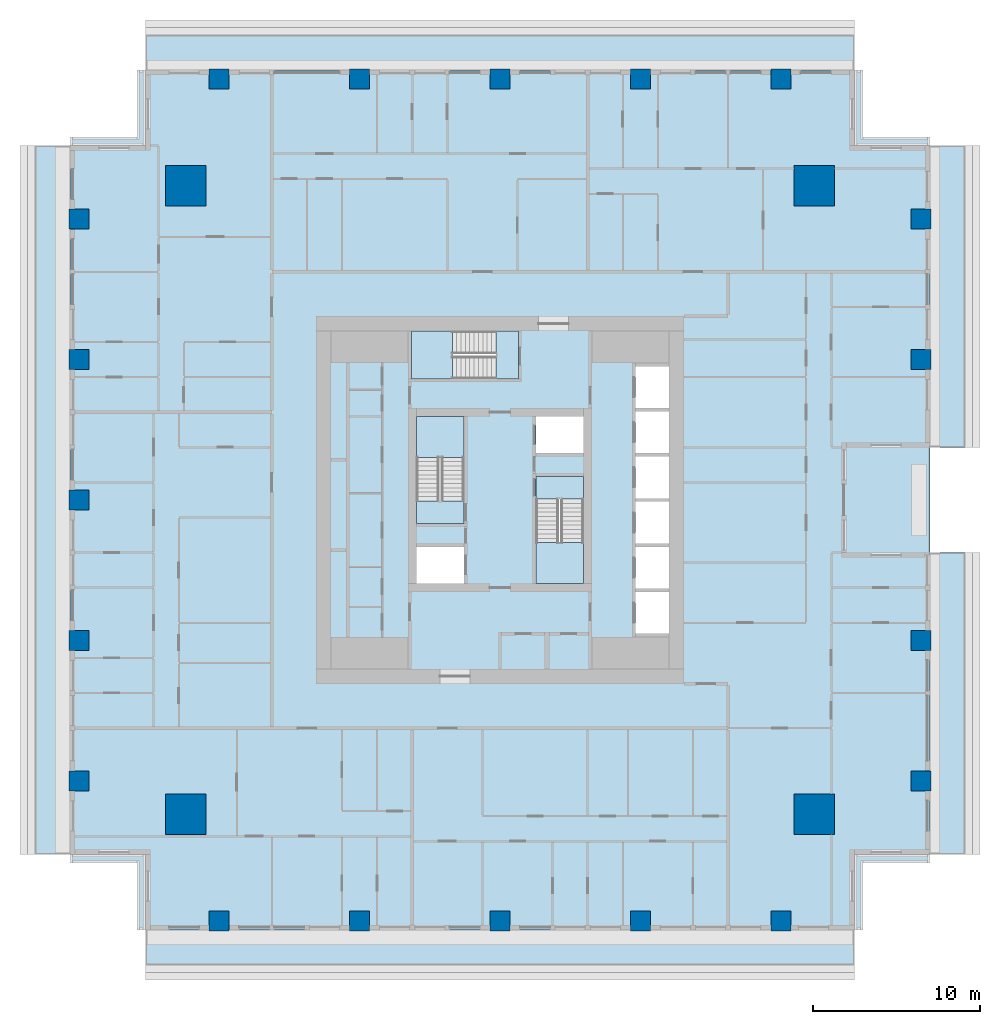
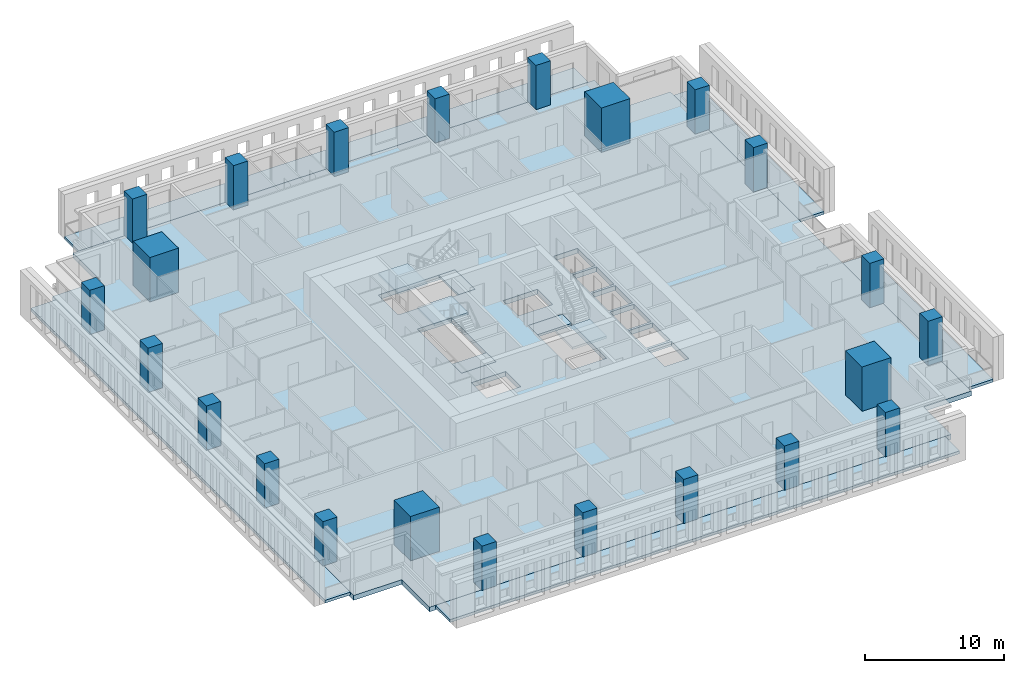
# One storey, part 1 of 17: 23 columns, 12 slabs, 3 elements without a shape of their own.
"""IFC4 building model written with IfcOpenShell, lengths in metres."""

from ifc_helpers import new_model, si_unit, direction, frame, origin, origin_2d, place, context, subcontext, project, spatial, polyline, rectangle, outline, extrude, material, layer, layer_set, material_profile, profile_set, type_object, element, aggregate, save


model = new_model("IFC4")

# Units and contexts
model_context = context("Model", 3, precision=1e-05, world=origin(), true_north=direction((0.0, 1.0)))
body_context = subcontext(model_context, "Body", "Model", "MODEL_VIEW")
ifc_project = project(units=[si_unit("LENGTHUNIT", "METRE"), si_unit("AREAUNIT", "SQUARE_METRE"), si_unit("VOLUMEUNIT", "CUBIC_METRE"), si_unit("PLANEANGLEUNIT", "RADIAN"), si_unit("MASSUNIT", "GRAM", prefix="KILO")], contexts=[model_context])

# Site, building, storey
site_placement = place(None, origin())
site = spatial("IfcSite", under=ifc_project, at=site_placement, CompositionType="ELEMENT")
building_placement = place(site_placement, origin())
building = spatial("IfcBuilding", under=site, at=building_placement, Name="Khepri Terraces", CompositionType="ELEMENT")
storey_placement = place(building_placement, frame((0.0, 0.0, 188.39990234375)))
storey = spatial("IfcBuildingStorey", under=building, at=storey_placement, Name="L44", CompositionType="ELEMENT", Elevation=188.39990234375)

# Columns
ifc_material_1 = material(Name="Concrete C50/60", Category="concrete")
ifc_material_profile_1 = material_profile(ifc_material_1, rectangle(XDim=2.39990234375, YDim=2.39990234375, at=origin_2d()), Name="Concrete C50/60", Category="concrete")
ifc_profile_set_1 = profile_set([ifc_material_profile_1], Name="Concrete C50/60")
column_type_1 = type_object("IfcColumnType", Name="Mega column RC 2400x2400 C50/60", PredefinedType="COLUMN", material=ifc_profile_set_1)
for number, where, z_axis, x_axis, name in (
    (1, (18.800048828125, 18.800048828125, 0.0), (0.0, 0.0, 1.0), (1.0, 0.0, 0.0), "Mega column MEN L44"),
    (2, (18.800048828125, -18.800048828125, 0.0), (0.0, 0.0, 1.0), (1.0, 0.0, 0.0), "Mega column MES L44"),
    (3, (-18.800048828125, 18.800048828125, 0.0), (0.0, 0.0, 1.0), (1.0, 0.0, 0.0), "Mega column MWN L44"),
    (4, (-18.800048828125, -18.800048828125, 0.0), (0.0, 0.0, 1.0), (1.0, 0.0, 0.0), "Mega column MWS L44"),
):
    element("IfcColumn", number, at=place(storey_placement, frame(where, z_axis=z_axis, x_axis=x_axis)), inside=storey, type_object=column_type_1, Name=name, PredefinedType="COLUMN", context=body_context, shape_type="SweptSolid", body=[
        extrude(rectangle(XDim=2.39990234375, YDim=2.39990234375, at=origin_2d()), origin(), (0.0, 0.0, 1.0), 3.900146484375),
    ])
ifc_material_profile_2 = material_profile(ifc_material_1, rectangle(XDim=1.199951171875, YDim=1.199951171875, at=origin_2d()), Name="Concrete C50/60", Category="concrete")
ifc_profile_set_2 = profile_set([ifc_material_profile_2], Name="Concrete C50/60")
column_type_2 = type_object("IfcColumnType", Name="Tower column RC 1200x1200 C50/60", PredefinedType="COLUMN", material=ifc_profile_set_2)
for number, where, z_axis, x_axis, name in (
    (5, (25.199951171875, 8.39990234375, 0.0), (0.0, 0.0, 1.0), (1.0, 0.0, 0.0), "Perimeter column PE+084a L44"),
    (6, (25.199951171875, 16.800048828125, 0.0), (0.0, 0.0, 1.0), (1.0, 0.0, 0.0), "Perimeter column PE+168a L44"),
    (7, (25.199951171875, -8.39990234375, 0.0), (0.0, 0.0, 1.0), (1.0, 0.0, 0.0), "Perimeter column PE-084a L44"),
    (8, (25.199951171875, -16.800048828125, 0.0), (0.0, 0.0, 1.0), (1.0, 0.0, 0.0), "Perimeter column PE-168a L44"),
):
    element("IfcColumn", number, at=place(storey_placement, frame(where, z_axis=z_axis, x_axis=x_axis)), inside=storey, type_object=column_type_2, Name=name, PredefinedType="COLUMN", context=body_context, shape_type="SweptSolid", body=[
        extrude(rectangle(XDim=1.199951171875, YDim=1.199951171875, at=origin_2d()), origin(), (0.0, 0.0, 1.0), 3.900146484375),
    ])
for number, where, z_axis, x_axis, name in (
    (9, (0.0, 25.199951171875, -0.419921875), (0.0, 0.0, 1.0), (1.0, 0.0, 0.0), "Perimeter column PN+000b L44"),
    (10, (-8.39990234375, 25.199951171875, -0.419921875), (0.0, 0.0, 1.0), (1.0, 0.0, 0.0), "Perimeter column PN+084b L44"),
):
    element("IfcColumn", number, at=place(storey_placement, frame(where, z_axis=z_axis, x_axis=x_axis)), inside=storey, type_object=column_type_2, Name=name, PredefinedType="COLUMN", context=body_context, shape_type="SweptSolid", body=[
        extrude(rectangle(XDim=1.199951171875, YDim=1.199951171875, at=origin_2d()), origin(), (0.0, 0.0, 1.0), 4.320068359375),
    ])
column_1_placement = place(storey_placement, frame((-16.800048828125, 25.199951171875, 0.0), z_axis=(0.0, 0.0, 1.0), x_axis=(1.0, 0.0, 0.0)))
element("IfcColumn", 11, at=column_1_placement, inside=storey, type_object=column_type_2, Name="Perimeter column PN+168a L44", PredefinedType="COLUMN", context=body_context, shape_type="SweptSolid", body=[
    extrude(rectangle(XDim=1.199951171875, YDim=1.199951171875, at=origin_2d()), origin(), (0.0, 0.0, 1.0), 3.900146484375),
])
column_2_placement = place(storey_placement, frame((8.39990234375, 25.199951171875, -0.419921875), z_axis=(0.0, 0.0, 1.0), x_axis=(1.0, 0.0, 0.0)))
element("IfcColumn", 12, at=column_2_placement, inside=storey, type_object=column_type_2, Name="Perimeter column PN-084b L44", PredefinedType="COLUMN", context=body_context, shape_type="SweptSolid", body=[
    extrude(rectangle(XDim=1.199951171875, YDim=1.199951171875, at=origin_2d()), origin(), (0.0, 0.0, 1.0), 4.320068359375),
])
for number, where, z_axis, x_axis, name in (
    (13, (16.800048828125, 25.199951171875, 0.0), (0.0, 0.0, 1.0), (1.0, 0.0, 0.0), "Perimeter column PN-168a L44"),
    (14, (0.0, -25.199951171875, 0.0), (0.0, 0.0, 1.0), (1.0, 0.0, 0.0), "Perimeter column PS+000b L44"),
    (15, (8.39990234375, -25.199951171875, 0.0), (0.0, 0.0, 1.0), (1.0, 0.0, 0.0), "Perimeter column PS+084b L44"),
    (16, (16.800048828125, -25.199951171875, 0.0), (0.0, 0.0, 1.0), (1.0, 0.0, 0.0), "Perimeter column PS+168a L44"),
    (17, (-8.39990234375, -25.199951171875, 0.0), (0.0, 0.0, 1.0), (1.0, 0.0, 0.0), "Perimeter column PS-084b L44"),
    (18, (-16.800048828125, -25.199951171875, 0.0), (0.0, 0.0, 1.0), (1.0, 0.0, 0.0), "Perimeter column PS-168a L44"),
    (19, (-25.199951171875, 0.0, 0.0), (0.0, 0.0, 1.0), (1.0, 0.0, 0.0), "Perimeter column PW+000b L44"),
    (20, (-25.199951171875, -8.39990234375, 0.0), (0.0, 0.0, 1.0), (1.0, 0.0, 0.0), "Perimeter column PW+084b L44"),
    (21, (-25.199951171875, -16.800048828125, 0.0), (0.0, 0.0, 1.0), (1.0, 0.0, 0.0), "Perimeter column PW+168a L44"),
    (22, (-25.199951171875, 8.39990234375, 0.0), (0.0, 0.0, 1.0), (1.0, 0.0, 0.0), "Perimeter column PW-084b L44"),
    (23, (-25.199951171875, 16.800048828125, 0.0), (0.0, 0.0, 1.0), (1.0, 0.0, 0.0), "Perimeter column PW-168a L44"),
):
    element("IfcColumn", number, at=place(storey_placement, frame(where, z_axis=z_axis, x_axis=x_axis)), inside=storey, type_object=column_type_2, Name=name, PredefinedType="COLUMN", context=body_context, shape_type="SweptSolid", body=[
        extrude(rectangle(XDim=1.199951171875, YDim=1.199951171875, at=origin_2d()), origin(), (0.0, 0.0, 1.0), 3.900146484375),
    ])

# Slabs
ifc_material_2 = material(Name="Concrete C40/50", Category="concrete")
ifc_layer_1 = layer(ifc_material_2, 0.419921875, Name="Concrete C40/50", Category="concrete")
ifc_layer_set_1 = layer_set([ifc_layer_1], Name="Concrete C40/50")
slab_type_1 = type_object("IfcSlabType", Name="Flat plate 420", PredefinedType="FLOOR", material=ifc_layer_set_1)
slab_1_placement = place(storey_placement, frame((0.0, 0.0, -0.419921875)))
element("IfcSlab", 24, at=slab_1_placement, inside=storey, type_object=slab_type_1, Name="Floor slab F01 L44", PredefinedType="FLOOR", context=body_context, shape_type="SweptSolid", body=[
    extrude(outline(polyline([(25.719970703125, 3.14990234375), (25.719970703125, -3.14990234375), (25.719970703125, -21.219970703125), (25.719970703125, -21.719970703125), (21.719970703125, -21.719970703125), (21.719970703125, -25.719970703125), (21.219970703125, -25.719970703125), (-21.219970703125, -25.719970703125), (-21.719970703125, -25.719970703125), (-21.719970703125, -21.719970703125), (-25.719970703125, -21.719970703125), (-25.719970703125, -21.219970703125), (-25.719970703125, 21.219970703125), (-25.719970703125, 21.719970703125), (-21.719970703125, 21.719970703125), (-21.719970703125, 25.719970703125), (-21.219970703125, 25.719970703125), (21.219970703125, 25.719970703125), (21.719970703125, 25.719970703125), (21.719970703125, 21.719970703125), (25.719970703125, 21.719970703125), (25.719970703125, 21.219970703125), (25.719970703125, 3.14990234375)]), holes=[polyline([(2.14990234375, 2.800048828125), (5.0, 2.800048828125), (5.0, 5.0), (2.14990234375, 5.0), (2.14990234375, 2.800048828125)]), polyline([(-5.0, -2.800048828125), (-5.0, -5.0), (-2.14990234375, -5.0), (-2.14990234375, -2.800048828125), (-5.0, -2.800048828125)]), polyline([(10.10009765625, -5.5), (8.10009765625, -5.5), (8.10009765625, -8.0), (10.10009765625, -8.0), (10.10009765625, -5.5)]), polyline([(10.10009765625, -5.300048828125), (10.10009765625, -2.800048828125), (8.10009765625, -2.800048828125), (8.10009765625, -5.300048828125), (10.10009765625, -5.300048828125)]), polyline([(8.10009765625, -2.60009765625), (10.10009765625, -2.60009765625), (10.10009765625, -0.10009765625), (8.10009765625, -0.10009765625), (8.10009765625, -2.60009765625)]), polyline([(8.10009765625, 2.60009765625), (8.10009765625, 0.10009765625), (10.10009765625, 0.10009765625), (10.10009765625, 2.60009765625), (8.10009765625, 2.60009765625)]), polyline([(10.10009765625, 5.300048828125), (8.10009765625, 5.300048828125), (8.10009765625, 2.800048828125), (10.10009765625, 2.800048828125), (10.10009765625, 5.300048828125)]), polyline([(10.10009765625, 5.5), (10.10009765625, 8.0), (8.10009765625, 8.0), (8.10009765625, 5.5), (10.10009765625, 5.5)]), polyline([(-5.0, -1.39990234375), (-2.14990234375, -1.39990234375), (-2.14990234375, 5.0), (-5.0, 5.0), (-5.0, -1.39990234375)]), polyline([(5.0, -5.0), (5.0, 1.39990234375), (2.14990234375, 1.39990234375), (2.14990234375, -5.0), (5.0, -5.0)]), polyline([(-5.300048828125, 10.10009765625), (-5.300048828125, 7.25), (1.10009765625, 7.25), (1.10009765625, 10.10009765625), (-5.300048828125, 10.10009765625)])]), origin(), (0.0, 0.0, 1.0), 0.419921875),
])
ifc_material_3 = material(Name="Precast concrete C50/60 warm stone", Category="masonry")
ifc_layer_2 = layer(ifc_material_3, 0.25, Name="Precast concrete C50/60 warm stone", Category="masonry")
ifc_layer_set_2 = layer_set([ifc_layer_2], Name="Precast concrete C50/60 warm stone")
slab_type_2 = type_object("IfcSlabType", Name="SLB-BALCONY-250", PredefinedType="FLOOR", material=ifc_layer_set_2)
slab_2_placement = place(storey_placement, frame((0.0, 0.0, -0.25)))
element("IfcSlab", 25, at=slab_2_placement, inside=storey, type_object=slab_type_2, Name="Balcony slab L44 S", PredefinedType="FLOOR", context=body_context, shape_type="SweptSolid", body=[
    extrude(outline(polyline([(-17.39990234375, -25.719970703125), (-21.219970703125, -25.719970703125), (-21.219970703125, -27.820068359375), (21.219970703125, -27.820068359375), (21.219970703125, -25.719970703125), (17.39990234375, -25.719970703125), (17.39990234375, -25.800048828125), (16.199951171875, -25.800048828125), (16.199951171875, -25.719970703125), (9.0, -25.719970703125), (9.0, -25.800048828125), (7.800048828125, -25.800048828125), (7.800048828125, -25.719970703125), (0.60009765625, -25.719970703125), (0.60009765625, -25.800048828125), (-0.60009765625, -25.800048828125), (-0.60009765625, -25.719970703125), (-7.800048828125, -25.719970703125), (-7.800048828125, -25.800048828125), (-9.0, -25.800048828125), (-9.0, -25.719970703125), (-16.199951171875, -25.719970703125), (-16.199951171875, -25.800048828125), (-17.39990234375, -25.800048828125), (-17.39990234375, -25.719970703125)])), origin(), (0.0, 0.0, 1.0), 0.25),
])
slab_3_placement = place(storey_placement, frame((0.0, 0.0, -0.25)))
element("IfcSlab", 26, at=slab_3_placement, inside=storey, type_object=slab_type_2, Name="Balcony slab L44 E", PredefinedType="FLOOR", context=body_context, shape_type="SweptSolid", body=[
    extrude(outline(polyline([(25.719970703125, -17.39990234375), (25.719970703125, -21.219970703125), (27.820068359375, -21.219970703125), (27.820068359375, -3.14990234375), (25.719970703125, -3.14990234375), (25.719970703125, -7.800048828125), (25.800048828125, -7.800048828125), (25.800048828125, -9.0), (25.719970703125, -9.0), (25.719970703125, -16.199951171875), (25.800048828125, -16.199951171875), (25.800048828125, -17.39990234375), (25.719970703125, -17.39990234375)])), origin(), (0.0, 0.0, 1.0), 0.25),
])
slab_4_placement = place(storey_placement, frame((0.0, 0.0, -0.25)))
element("IfcSlab", 27, at=slab_4_placement, inside=storey, type_object=slab_type_2, Name="Balcony slab L44 E", PredefinedType="FLOOR", context=body_context, shape_type="SweptSolid", body=[
    extrude(outline(polyline([(25.719970703125, 7.800048828125), (25.719970703125, 3.14990234375), (27.820068359375, 3.14990234375), (27.820068359375, 21.219970703125), (25.719970703125, 21.219970703125), (25.719970703125, 17.39990234375), (25.800048828125, 17.39990234375), (25.800048828125, 16.199951171875), (25.719970703125, 16.199951171875), (25.719970703125, 9.0), (25.800048828125, 9.0), (25.800048828125, 7.800048828125), (25.719970703125, 7.800048828125)])), origin(), (0.0, 0.0, 1.0), 0.25),
])
slab_5_placement = place(storey_placement, frame((0.0, 0.0, -0.25)))
element("IfcSlab", 28, at=slab_5_placement, inside=storey, type_object=slab_type_2, Name="Balcony slab L44 N", PredefinedType="FLOOR", context=body_context, shape_type="SweptSolid", body=[
    extrude(outline(polyline([(17.39990234375, 25.719970703125), (21.219970703125, 25.719970703125), (21.219970703125, 27.820068359375), (-21.219970703125, 27.820068359375), (-21.219970703125, 25.719970703125), (-17.39990234375, 25.719970703125), (-17.39990234375, 25.800048828125), (-16.199951171875, 25.800048828125), (-16.199951171875, 25.719970703125), (-9.0, 25.719970703125), (-9.0, 25.800048828125), (-7.800048828125, 25.800048828125), (-7.800048828125, 25.719970703125), (-0.60009765625, 25.719970703125), (-0.60009765625, 25.800048828125), (0.60009765625, 25.800048828125), (0.60009765625, 25.719970703125), (7.800048828125, 25.719970703125), (7.800048828125, 25.800048828125), (9.0, 25.800048828125), (9.0, 25.719970703125), (16.199951171875, 25.719970703125), (16.199951171875, 25.800048828125), (17.39990234375, 25.800048828125), (17.39990234375, 25.719970703125)])), origin(), (0.0, 0.0, 1.0), 0.25),
])
slab_6_placement = place(storey_placement, frame((0.0, 0.0, -0.25)))
element("IfcSlab", 29, at=slab_6_placement, inside=storey, type_object=slab_type_2, Name="Balcony slab L44 W", PredefinedType="FLOOR", context=body_context, shape_type="SweptSolid", body=[
    extrude(outline(polyline([(-25.719970703125, 17.39990234375), (-25.719970703125, 21.219970703125), (-27.820068359375, 21.219970703125), (-27.820068359375, -21.219970703125), (-25.719970703125, -21.219970703125), (-25.719970703125, -17.39990234375), (-25.800048828125, -17.39990234375), (-25.800048828125, -16.199951171875), (-25.719970703125, -16.199951171875), (-25.719970703125, -9.0), (-25.800048828125, -9.0), (-25.800048828125, -7.800048828125), (-25.719970703125, -7.800048828125), (-25.719970703125, -0.60009765625), (-25.800048828125, -0.60009765625), (-25.800048828125, 0.60009765625), (-25.719970703125, 0.60009765625), (-25.719970703125, 7.800048828125), (-25.800048828125, 7.800048828125), (-25.800048828125, 9.0), (-25.719970703125, 9.0), (-25.719970703125, 16.199951171875), (-25.800048828125, 16.199951171875), (-25.800048828125, 17.39990234375), (-25.719970703125, 17.39990234375)])), origin(), (0.0, 0.0, 1.0), 0.25),
])

# Stair, slabs
stair_type = type_object("IfcStairType", Name="STAIR-RC-22R", PredefinedType="HALF_TURN_STAIR", material=ifc_material_2)
stair_1_placement = place(storey_placement, origin())
stair_1 = element("IfcStair", 30, at=stair_1_placement, inside=storey, type_object=stair_type, Name="L44 Exit Stair ST-1", PredefinedType="HALF_TURN_STAIR")
ifc_layer_3 = layer(ifc_material_2, 0.199951171875, Name="Concrete C40/50", Category="concrete")
ifc_layer_set_3 = layer_set([ifc_layer_3], Name="Concrete C40/50")
slab_type_3 = type_object("IfcSlabType", Name="SLB-CORE-LANDING", PredefinedType="LANDING", material=ifc_layer_set_3)
slab_7_placement = place(storey_placement, frame((0.0, 0.0, -0.199951171875)))
slab_7 = element("IfcSlab", 31, at=slab_7_placement, type_object=slab_type_3, Name="ST-1 landing 1", PredefinedType="LANDING", context=body_context, shape_type="SweptSolid", body=[
    extrude(outline(polyline([(-2.14990234375, -1.39990234375), (-2.14990234375, -0.050048828125), (-5.0, -0.050048828125), (-5.0, -1.39990234375), (-2.14990234375, -1.39990234375)])), origin(), (0.0, 0.0, 1.0), 0.199951171875),
])
slab_8_placement = place(storey_placement, frame((0.0, 0.0, 1.75)))
slab_8 = element("IfcSlab", 32, at=slab_8_placement, type_object=slab_type_3, Name="ST-1 landing 2", PredefinedType="LANDING", context=body_context, shape_type="SweptSolid", body=[
    extrude(outline(polyline([(-2.14990234375, 2.550048828125), (-2.14990234375, 5.0), (-5.0, 5.0), (-5.0, 2.550048828125), (-2.14990234375, 2.550048828125)])), origin(), (0.0, 0.0, 1.0), 0.2001953125),
])
aggregate(stair_1, [slab_7, slab_8])

stair_2_placement = place(storey_placement, origin())
stair_2 = element("IfcStair", 33, at=stair_2_placement, inside=storey, type_object=stair_type, Name="L44 Exit Stair ST-2", PredefinedType="HALF_TURN_STAIR")
slab_9_placement = place(storey_placement, frame((0.0, 0.0, -0.199951171875)))
slab_9 = element("IfcSlab", 34, at=slab_9_placement, type_object=slab_type_3, Name="ST-2 landing 1", PredefinedType="LANDING", context=body_context, shape_type="SweptSolid", body=[
    extrude(outline(polyline([(2.14990234375, 1.39990234375), (2.14990234375, 0.050048828125), (5.0, 0.050048828125), (5.0, 1.39990234375), (2.14990234375, 1.39990234375)])), origin(), (0.0, 0.0, 1.0), 0.199951171875),
])
slab_10_placement = place(storey_placement, frame((0.0, 0.0, 1.75)))
slab_10 = element("IfcSlab", 35, at=slab_10_placement, type_object=slab_type_3, Name="ST-2 landing 2", PredefinedType="LANDING", context=body_context, shape_type="SweptSolid", body=[
    extrude(outline(polyline([(2.14990234375, -2.550048828125), (2.14990234375, -5.0), (5.0, -5.0), (5.0, -2.550048828125), (2.14990234375, -2.550048828125)])), origin(), (0.0, 0.0, 1.0), 0.2001953125),
])
aggregate(stair_2, [slab_9, slab_10])

stair_3_placement = place(storey_placement, origin())
stair_3 = element("IfcStair", 36, at=stair_3_placement, inside=storey, type_object=stair_type, Name="L44 Exit Stair ST-3", PredefinedType="HALF_TURN_STAIR")
slab_11_placement = place(storey_placement, frame((0.0, 0.0, -0.199951171875)))
slab_11 = element("IfcSlab", 37, at=slab_11_placement, type_object=slab_type_3, Name="ST-3 landing 1", PredefinedType="LANDING", context=body_context, shape_type="SweptSolid", body=[
    extrude(outline(polyline([(1.10009765625, 10.10009765625), (-0.25, 10.10009765625), (-0.25, 7.25), (1.10009765625, 7.25), (1.10009765625, 10.10009765625)])), origin(), (0.0, 0.0, 1.0), 0.199951171875),
])
slab_12_placement = place(storey_placement, frame((0.0, 0.0, 1.75)))
slab_12 = element("IfcSlab", 38, at=slab_12_placement, type_object=slab_type_3, Name="ST-3 landing 2", PredefinedType="LANDING", context=body_context, shape_type="SweptSolid", body=[
    extrude(outline(polyline([(-2.85009765625, 10.10009765625), (-5.300048828125, 10.10009765625), (-5.300048828125, 7.25), (-2.85009765625, 7.25), (-2.85009765625, 10.10009765625)])), origin(), (0.0, 0.0, 1.0), 0.2001953125),
])
aggregate(stair_3, [slab_11, slab_12])

save(model, "model.ifc")
